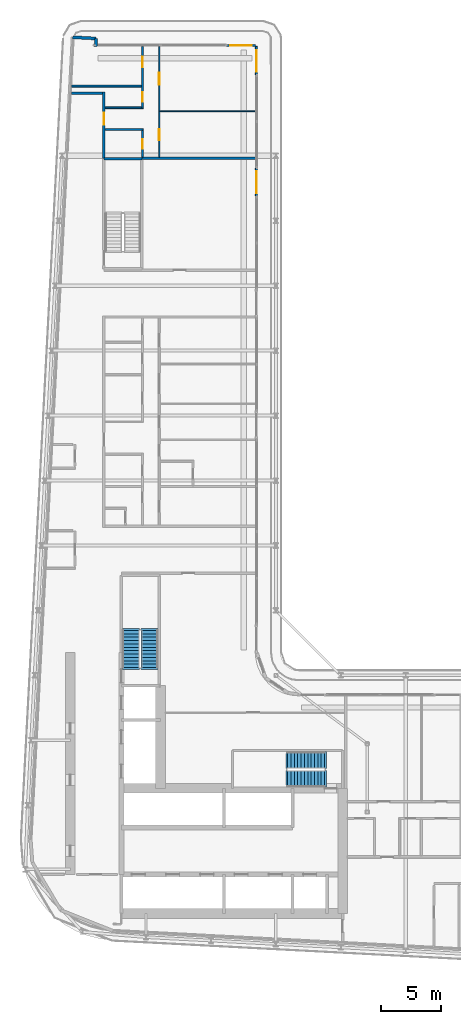
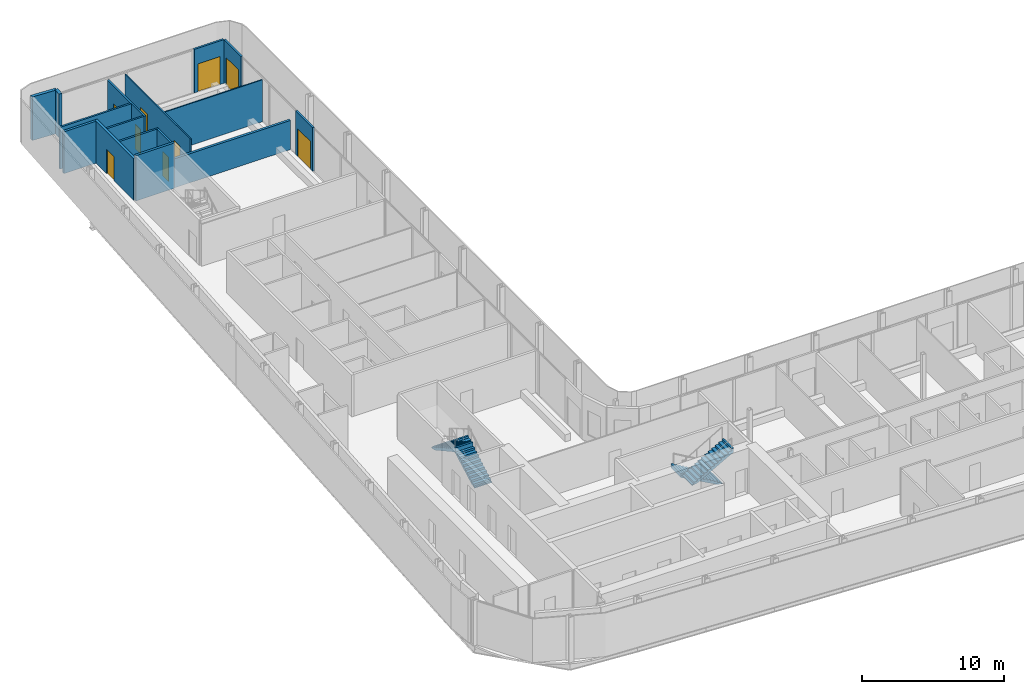
# One storey, part 21 of 29: 16 walls, 9 doors, 4 stair flights, 9 openings, 2 elements without a shape of their own.
"""IFC4 building model written with IfcOpenShell, lengths in metres."""

from ifc_helpers import new_model, si_unit, direction, frame, frame_2d, origin, place, context, subcontext, project, spatial, polyline, rectangle, outline, extrude, source, transform, mapped, material, layer, layer_set, type_object, element, fill, aggregate, save


model = new_model("IFC4")

# Units and contexts
model_context = context("Model", 3, precision=1e-05, world=origin(), true_north=direction((0.0, 1.0)))
body_context = subcontext(model_context, "Body", "Model", "MODEL_VIEW")
ifc_project = project(units=[si_unit("LENGTHUNIT", "METRE"), si_unit("AREAUNIT", "SQUARE_METRE"), si_unit("VOLUMEUNIT", "CUBIC_METRE"), si_unit("PLANEANGLEUNIT", "RADIAN"), si_unit("MASSUNIT", "GRAM", prefix="KILO")], contexts=[model_context])

# Site, building, storey
site_placement = place(None, origin())
site = spatial("IfcSite", under=ifc_project, at=site_placement, CompositionType="ELEMENT")
building_placement = place(site_placement, origin())
building = spatial("IfcBuilding", under=site, at=building_placement, Name="Kheshtan School and Residences Tower", CompositionType="ELEMENT")
storey_placement = place(building_placement, frame((0.0, 0.0, 172.10009765625)))
storey = spatial("IfcBuildingStorey", under=building, at=storey_placement, Name="L40", CompositionType="ELEMENT", Elevation=172.10009765625)

# Wall
ifc_material_1 = material(Name="Gypsum board on steel studs with fire boards", Category="steel")
ifc_layer_1 = layer(ifc_material_1, 0.199951171875)
ifc_layer_set_1 = layer_set([ifc_layer_1], Name="Corridor wall 200")
wall_type_1 = type_object("IfcWallType", Name="Corridor wall 200", PredefinedType="PARTITIONING", material=ifc_layer_set_1)
wall_1_placement = place(storey_placement, frame((30.584716796875, 94.0, 0.0), z_axis=(0.0, 0.0, 1.0), x_axis=(1.0, 0.0, 0.0)))
element("IfcWall", 1, at=wall_1_placement, inside=storey, type_object=wall_type_1, Name="Partition L40-002", PredefinedType="PARTITIONING", context=body_context, shape_type="SweptSolid", body=[
    extrude(rectangle(XDim=2.615234375, YDim=0.199951171875, at=frame_2d((1.3076171875, 0.0))), origin(), (0.0, 0.0, 1.0), 3.599853515625),
])

# Wall, opening, door
wall_2_placement = place(storey_placement, frame((33.300048828125, 88.60009765625, 0.0), z_axis=(0.0, 0.0, 1.0), x_axis=(0.0, 1.0, 0.0)))
wall_2 = element("IfcWall", 2, at=wall_2_placement, inside=storey, type_object=wall_type_1, Name="Partition L40-005", PredefinedType="PARTITIONING", context=body_context, shape_type="SweptSolid", body=[
    extrude(rectangle(XDim=5.5, YDim=0.199951171875, at=frame_2d((2.75, 0.0))), origin(), (0.0, 0.0, 1.0), 3.599853515625),
])
opening_1_placement = place(wall_2_placement, frame((2.800048828125, 0.0, 0.0)))
opening_1 = element("IfcOpeningElement", 3, at=opening_1_placement, cuts=wall_2, Name="Opening D39-045", PredefinedType="OPENING", context=body_context, shape_type="SweptSolid", body=[
    extrude(rectangle(XDim=1.0, YDim=2.10009765625, at=frame_2d((0.5, 1.050048828125))), frame((0.0, 0.10986328125, 0.0), z_axis=(0.0, -1.0, 0.0), x_axis=(1.0, 0.0, 0.0)), (0.0, 0.0, 1.0), 0.219970703125),
])
ifc_material_2 = material(Name="Steel-framed fire-resisting door leaf", Category="steel")
door_type_1 = type_object("IfcDoorType", Name="Fire door FD30S 1000 x 2100", OperationType="SINGLE_SWING_LEFT", PredefinedType="DOOR", material=ifc_material_2)
shared_shape_1 = source(origin(), body_context, "Body", "SweptSolid", [
    extrude(rectangle(XDim=1.0, YDim=2.10009765625, at=frame_2d((0.5, 1.050048828125))), frame((0.0, 0.02490234375, 0.0), z_axis=(0.0, -1.0, 0.0), x_axis=(1.0, 0.0, 0.0)), (0.0, 0.0, 1.0), 0.050048828125),
])
door_1_placement = place(opening_1_placement, origin())
door_1 = element("IfcDoor", 4, at=door_1_placement, inside=storey, type_object=door_type_1, Name="Door D39-045", OperationType="SINGLE_SWING_LEFT", OverallHeight=2.10009765625, OverallWidth=1.0, PredefinedType="DOOR", context=body_context, shape_type="MappedRepresentation", body=[
    mapped(shared_shape_1, transform((0.0, 0.0, 0.0), x_axis=(1.0, 0.0, 0.0), y_axis=(0.0, 1.0, 0.0), z_axis=(0.0, 0.0, 1.0), scale=1.0)),
])
fill(opening_1, door_1)

# Walls
ifc_material_3 = material(Name="Concrete C40/50 with ceramic cladding and mineral wool insulation", Category="concrete")
ifc_layer_2 = layer(ifc_material_3, 0.25)
ifc_layer_set_2 = layer_set([ifc_layer_2], Name="External wall 250 ceramic clad")
wall_type_2 = type_object("IfcWallType", Name="External wall 250 ceramic clad", PredefinedType="SOLIDWALL", material=ifc_layer_set_2)
wall_3_placement = place(storey_placement, frame((30.705078125, 98.6640625, 0.0), z_axis=(0.0, 0.0, 1.0), x_axis=(0.998577785791, -0.053314216913, 0.0)))
element("IfcWall", 5, at=wall_3_placement, inside=storey, type_object=wall_type_2, Name="External wall L40 5", PredefinedType="SOLIDWALL", context=body_context, shape_type="SweptSolid", body=[
    extrude(rectangle(XDim=1.95068359375, YDim=0.25, at=frame_2d((0.975341796875, 0.0))), origin(), (0.0, 0.0, 1.0), 3.75),
])
wall_4_placement = place(storey_placement, frame((32.653076171875, 98.56005859375, 0.0), z_axis=(0.0, 0.0, 1.0), x_axis=(-0.054093451632, -0.998535877418, 0.0)))
element("IfcWall", 6, at=wall_4_placement, inside=storey, type_object=wall_type_2, Name="External wall L40 6", PredefinedType="SOLIDWALL", context=body_context, shape_type="SweptSolid", body=[
    extrude(rectangle(XDim=0.66796875, YDim=0.25, at=frame_2d((0.333984375, 0.0))), origin(), (0.0, 0.0, 1.0), 3.75),
])

# Wall, opening, door
ifc_material_4 = material(Name="Aluminium frame wall with insulated infill", Category="aluminium")
ifc_layer_3 = layer(ifc_material_4, 0.14990234375)
ifc_layer_set_3 = layer_set([ifc_layer_3], Name="Glazing frame wall 150")
wall_type_3 = type_object("IfcWallType", Name="Glazing frame wall 150", PredefinedType="SOLIDWALL", material=ifc_layer_set_3)
wall_5_placement = place(storey_placement, frame((43.5, 97.97509765625, 0.0), z_axis=(0.0, 0.0, 1.0), x_axis=(1.0, 0.0, 0.0)))
wall_5 = element("IfcWall", 7, at=wall_5_placement, inside=storey, type_object=wall_type_3, Name="Balcony door wall L40 7.1", PredefinedType="SOLIDWALL", context=body_context, shape_type="SweptSolid", body=[
    extrude(rectangle(XDim=2.39990234375, YDim=0.14990234375, at=frame_2d((1.199951171875, 0.0))), origin(), (0.0, 0.0, 1.0), 3.75),
])
opening_2_placement = place(wall_5_placement, frame((0.300048828125, 0.0, 0.0)))
opening_2 = element("IfcOpeningElement", 8, at=opening_2_placement, cuts=wall_5, Name="Opening BD", PredefinedType="OPENING", context=body_context, shape_type="SweptSolid", body=[
    extrude(rectangle(XDim=1.800048828125, YDim=2.39990234375, at=frame_2d((0.89990234375, 1.199951171875))), frame((0.0, 0.0849609375, 0.0), z_axis=(0.0, -1.0, 0.0), x_axis=(1.0, 0.0, 0.0)), (0.0, 0.0, 1.0), 0.169921875),
])
ifc_material_5 = material(Name="Clear low-e glass in thermally broken aluminium frame", Category="aluminium")
door_type_2 = type_object("IfcDoorType", Name="Balcony sliding door", OperationType="SLIDING_TO_LEFT", PredefinedType="DOOR", material=ifc_material_5)
shared_shape_2 = source(origin(), body_context, "Body", "SweptSolid", [
    extrude(rectangle(XDim=1.800048828125, YDim=2.39990234375, at=frame_2d((0.89990234375, 1.199951171875))), frame((0.0, 0.02490234375, 0.0), z_axis=(0.0, -1.0, 0.0), x_axis=(1.0, 0.0, 0.0)), (0.0, 0.0, 1.0), 0.050048828125),
])
door_2_placement = place(opening_2_placement, origin())
door_2 = element("IfcDoor", 9, at=door_2_placement, inside=storey, type_object=door_type_2, Name="Balcony door L40 7.1", OperationType="SLIDING_TO_LEFT", OverallHeight=2.39990234375, OverallWidth=1.800048828125, PredefinedType="DOOR", context=body_context, shape_type="MappedRepresentation", body=[
    mapped(shared_shape_2, transform((0.0, 0.0, 0.0), x_axis=(1.0, 0.0, 0.0), y_axis=(0.0, 1.0, 0.0), z_axis=(0.0, 0.0, 1.0), scale=1.0)),
])
fill(opening_2, door_2)

wall_6_placement = place(storey_placement, frame((45.97509765625, 97.89990234375, 0.0), z_axis=(0.0, 0.0, 1.0), x_axis=(0.0, -1.0, 0.0)))
wall_6 = element("IfcWall", 10, at=wall_6_placement, inside=storey, type_object=wall_type_3, Name="Balcony door wall L40 8.1", PredefinedType="SOLIDWALL", context=body_context, shape_type="SweptSolid", body=[
    extrude(rectangle(XDim=2.39990234375, YDim=0.14990234375, at=frame_2d((1.199951171875, 0.0))), origin(), (0.0, 0.0, 1.0), 3.75),
])
opening_3_placement = place(wall_6_placement, frame((0.300048828125, 0.0, 0.0)))
opening_3 = element("IfcOpeningElement", 11, at=opening_3_placement, cuts=wall_6, Name="Opening BD", PredefinedType="OPENING", context=body_context, shape_type="SweptSolid", body=[
    extrude(rectangle(XDim=1.800048828125, YDim=2.39990234375, at=frame_2d((0.89990234375, 1.199951171875))), frame((0.0, 0.0849609375, 0.0), z_axis=(0.0, -1.0, 0.0), x_axis=(1.0, 0.0, 0.0)), (0.0, 0.0, 1.0), 0.169921875),
])
door_3_placement = place(opening_3_placement, origin())
door_3 = element("IfcDoor", 12, at=door_3_placement, inside=storey, type_object=door_type_2, Name="Balcony door L40 8.1", OperationType="SLIDING_TO_LEFT", OverallHeight=2.39990234375, OverallWidth=1.800048828125, PredefinedType="DOOR", context=body_context, shape_type="MappedRepresentation", body=[
    mapped(shared_shape_2, transform((0.0, 0.0, 0.0), x_axis=(1.0, 0.0, 0.0), y_axis=(0.0, 1.0, 0.0), z_axis=(0.0, 0.0, 1.0), scale=1.0)),
])
fill(opening_3, door_3)

wall_7_placement = place(storey_placement, frame((45.97509765625, 87.805908203125, 0.0), z_axis=(0.0, 0.0, 1.0), x_axis=(0.0, -1.0, 0.0)))
wall_7 = element("IfcWall", 13, at=wall_7_placement, inside=storey, type_object=wall_type_3, Name="Balcony door wall L40 8.2", PredefinedType="SOLIDWALL", context=body_context, shape_type="SweptSolid", body=[
    extrude(rectangle(XDim=2.39990234375, YDim=0.14990234375, at=frame_2d((1.199951171875, 0.0))), origin(), (0.0, 0.0, 1.0), 3.75),
])
opening_4_placement = place(wall_7_placement, frame((0.300048828125, 0.0, 0.0)))
opening_4 = element("IfcOpeningElement", 14, at=opening_4_placement, cuts=wall_7, Name="Opening BD", PredefinedType="OPENING", context=body_context, shape_type="SweptSolid", body=[
    extrude(rectangle(XDim=1.800048828125, YDim=2.39990234375, at=frame_2d((0.89990234375, 1.199951171875))), frame((0.0, 0.0849609375, 0.0), z_axis=(0.0, -1.0, 0.0), x_axis=(1.0, 0.0, 0.0)), (0.0, 0.0, 1.0), 0.169921875),
])
door_4_placement = place(opening_4_placement, origin())
door_4 = element("IfcDoor", 15, at=door_4_placement, inside=storey, type_object=door_type_2, Name="Balcony door L40 8.2", OperationType="SLIDING_TO_LEFT", OverallHeight=2.39990234375, OverallWidth=1.800048828125, PredefinedType="DOOR", context=body_context, shape_type="MappedRepresentation", body=[
    mapped(shared_shape_2, transform((0.0, 0.0, 0.0), x_axis=(1.0, 0.0, 0.0), y_axis=(0.0, 1.0, 0.0), z_axis=(0.0, 0.0, 1.0), scale=1.0)),
])
fill(opening_4, door_4)

# Wall, openings, doors
ifc_material_6 = material(Name="Gypsum board on steel studs", Category="steel")
ifc_layer_4 = layer(ifc_material_6, 0.10009765625)
ifc_layer_set_4 = layer_set([ifc_layer_4], Name="Gypsum partition 100")
wall_type_4 = type_object("IfcWallType", Name="Gypsum partition 100", PredefinedType="PARTITIONING", material=ifc_layer_set_4)
wall_8_placement = place(storey_placement, frame((37.89990234375, 88.699951171875, 0.0), z_axis=(0.0, 0.0, 1.0), x_axis=(0.0, 1.0, 0.0)))
wall_8 = element("IfcWall", 16, at=wall_8_placement, inside=storey, type_object=wall_type_4, Name="Partition L40-026", PredefinedType="PARTITIONING", context=body_context, shape_type="SweptSolid", body=[
    extrude(rectangle(XDim=9.199951171875, YDim=0.10009765625, at=frame_2d((4.60009765625, 0.0))), origin(), (0.0, 0.0, 1.0), 3.599853515625),
])
opening_5_placement = place(wall_8_placement, frame((1.39990234375, 0.0, 0.0)))
opening_5 = element("IfcOpeningElement", 17, at=opening_5_placement, cuts=wall_8, Name="Opening D39-044", PredefinedType="OPENING", context=body_context, shape_type="SweptSolid", body=[
    extrude(rectangle(XDim=0.89990234375, YDim=2.10009765625, at=frame_2d((0.449951171875, 1.050048828125))), frame((0.0, 0.06005859375, 0.0), z_axis=(0.0, -1.0, 0.0), x_axis=(1.0, 0.0, 0.0)), (0.0, 0.0, 1.0), 0.1201171875),
])
opening_6_placement = place(wall_8_placement, frame((6.0, 0.0, 0.0)))
opening_6 = element("IfcOpeningElement", 18, at=opening_6_placement, cuts=wall_8, Name="Opening D39-047", PredefinedType="OPENING", context=body_context, shape_type="SweptSolid", body=[
    extrude(rectangle(XDim=1.0, YDim=2.10009765625, at=frame_2d((0.5, 1.050048828125))), frame((0.0, 0.06005859375, 0.0), z_axis=(0.0, -1.0, 0.0), x_axis=(1.0, 0.0, 0.0)), (0.0, 0.0, 1.0), 0.1201171875),
])
ifc_material_7 = material(Name="Veneered timber door leaf", Category="wood")
door_type_3 = type_object("IfcDoorType", Name="Door 1000 x 2100", OperationType="SINGLE_SWING_LEFT", PredefinedType="DOOR", material=ifc_material_7)
shared_shape_3 = source(origin(), body_context, "Body", "SweptSolid", [
    extrude(rectangle(XDim=1.0, YDim=2.10009765625, at=frame_2d((0.5, 1.050048828125))), frame((0.0, 0.02490234375, 0.0), z_axis=(0.0, -1.0, 0.0), x_axis=(1.0, 0.0, 0.0)), (0.0, 0.0, 1.0), 0.050048828125),
])
door_5_placement = place(opening_6_placement, origin())
door_5 = element("IfcDoor", 19, at=door_5_placement, inside=storey, type_object=door_type_3, Name="Door D39-047", OperationType="SINGLE_SWING_RIGHT", OverallHeight=2.10009765625, OverallWidth=1.0, PredefinedType="DOOR", context=body_context, shape_type="MappedRepresentation", body=[
    mapped(shared_shape_3, transform((0.0, 0.0, 0.0), x_axis=(1.0, 0.0, 0.0), y_axis=(0.0, 1.0, 0.0), z_axis=(0.0, 0.0, 1.0), scale=1.0)),
])
fill(opening_6, door_5)
door_type_4 = type_object("IfcDoorType", Name="Door 900 x 2100", OperationType="SINGLE_SWING_LEFT", PredefinedType="DOOR", material=ifc_material_7)
shared_shape_4 = source(origin(), body_context, "Body", "SweptSolid", [
    extrude(rectangle(XDim=0.89990234375, YDim=2.10009765625, at=frame_2d((0.449951171875, 1.050048828125))), frame((0.0, 0.02490234375, 0.0), z_axis=(0.0, -1.0, 0.0), x_axis=(1.0, 0.0, 0.0)), (0.0, 0.0, 1.0), 0.050048828125),
])
door_6_placement = place(opening_5_placement, origin())
door_6 = element("IfcDoor", 20, at=door_6_placement, inside=storey, type_object=door_type_4, Name="Door D39-044", OperationType="SINGLE_SWING_LEFT", OverallHeight=2.10009765625, OverallWidth=0.89990234375, PredefinedType="DOOR", context=body_context, shape_type="MappedRepresentation", body=[
    mapped(shared_shape_4, transform((0.0, 0.0, 0.0), x_axis=(1.0, 0.0, 0.0), y_axis=(0.0, 1.0, 0.0), z_axis=(0.0, 0.0, 1.0), scale=1.0)),
])
fill(opening_5, door_6)

# Walls
wall_9_placement = place(storey_placement, frame((37.949951171875, 92.5, 0.0), z_axis=(0.0, 0.0, 1.0), x_axis=(1.0, 0.0, 0.0)))
element("IfcWall", 21, at=wall_9_placement, inside=storey, type_object=wall_type_4, Name="Partition L40-027", PredefinedType="PARTITIONING", context=body_context, shape_type="SweptSolid", body=[
    extrude(rectangle(XDim=7.949951171875, YDim=0.10009765625, at=frame_2d((3.97509765625, 0.0))), origin(), (0.0, 0.0, 1.0), 3.599853515625),
])
ifc_material_8 = material(Name="Concrete C40/50", Category="concrete")
ifc_layer_5 = layer(ifc_material_8, 0.199951171875)
ifc_layer_set_5 = layer_set([ifc_layer_5], Name="Stair enclosure wall 200 Concrete C40/50")
wall_type_5 = type_object("IfcWallType", Name="Stair enclosure wall 200 Concrete C40/50", PredefinedType="SHEAR", material=ifc_layer_set_5)
wall_10_placement = place(storey_placement, frame((33.300048828125, 88.56005859375, 0.0), z_axis=(0.0, 0.0, 1.0), x_axis=(1.0, 0.0, 0.0)))
element("IfcWall", 22, at=wall_10_placement, inside=storey, type_object=wall_type_5, Name="Stair enclosure wall ST3", PredefinedType="SHEAR", context=body_context, shape_type="SweptSolid", body=[
    extrude(rectangle(XDim=3.14990234375, YDim=0.199951171875, at=frame_2d((1.574951171875, 0.0))), origin(), (0.0, 0.0, 1.0), 3.89990234375),
])
ifc_material_9 = material(Name="Twin gypsum board on steel studs with mineral wool", Category="steel")
ifc_layer_6 = layer(ifc_material_9, 0.199951171875)
ifc_layer_set_6 = layer_set([ifc_layer_6], Name="Unit demising wall 200")
wall_type_6 = type_object("IfcWallType", Name="Unit demising wall 200", PredefinedType="PARTITIONING", material=ifc_layer_set_6)
wall_11_placement = place(storey_placement, frame((36.425048828125, 88.60009765625, 0.0), z_axis=(0.0, 0.0, 1.0), x_axis=(1.0, 0.0, 0.0)))
element("IfcWall", 23, at=wall_11_placement, inside=storey, type_object=wall_type_6, Name="Partition L40-020", PredefinedType="PARTITIONING", context=body_context, shape_type="SweptSolid", body=[
    extrude(rectangle(XDim=9.474853515625, YDim=0.199951171875, at=frame_2d((4.7373046875, 0.0))), origin(), (0.0, 0.0, 1.0), 2.5),
])
ifc_material_10 = material(Name="Moisture-resistant gypsum board on steel studs", Category="steel")
ifc_layer_7 = layer(ifc_material_10, 0.14990234375)
ifc_layer_set_7 = layer_set([ifc_layer_7], Name="Wet-room partition 150")
wall_type_7 = type_object("IfcWallType", Name="Wet-room partition 150", PredefinedType="PARTITIONING", material=ifc_layer_set_7)
wall_12_placement = place(storey_placement, frame((30.616943359375, 94.60009765625, 0.0), z_axis=(0.0, 0.0, 1.0), x_axis=(1.0, 0.0, 0.0)))
element("IfcWall", 24, at=wall_12_placement, inside=storey, type_object=wall_type_7, Name="Partition L40-001", PredefinedType="PARTITIONING", context=body_context, shape_type="SweptSolid", body=[
    extrude(rectangle(XDim=5.80810546875, YDim=0.14990234375, at=frame_2d((2.904052734375, 0.0))), origin(), (0.0, 0.0, 1.0), 3.599853515625),
])
wall_13_placement = place(storey_placement, frame((33.39990234375, 91.0, 0.0), z_axis=(0.0, 0.0, 1.0), x_axis=(1.0, 0.0, 0.0)))
element("IfcWall", 25, at=wall_13_placement, inside=storey, type_object=wall_type_7, Name="Partition L40-014", PredefinedType="PARTITIONING", context=body_context, shape_type="SweptSolid", body=[
    extrude(rectangle(XDim=3.175048828125, YDim=0.14990234375, at=frame_2d((1.58740234375, 0.0))), origin(), (0.0, 0.0, 1.0), 3.599853515625),
])
wall_14_placement = place(storey_placement, frame((33.39990234375, 92.800048828125, 0.0), z_axis=(0.0, 0.0, 1.0), x_axis=(1.0, 0.0, 0.0)))
element("IfcWall", 26, at=wall_14_placement, inside=storey, type_object=wall_type_7, Name="Partition L40-015", PredefinedType="PARTITIONING", context=body_context, shape_type="SweptSolid", body=[
    extrude(rectangle(XDim=3.025146484375, YDim=0.14990234375, at=frame_2d((1.5126953125, 0.0))), origin(), (0.0, 0.0, 1.0), 3.599853515625),
])

# Wall, opening, door
wall_15_placement = place(storey_placement, frame((36.5, 88.699951171875, 0.0), z_axis=(0.0, 0.0, 1.0), x_axis=(0.0, 1.0, 0.0)))
wall_15 = element("IfcWall", 27, at=wall_15_placement, inside=storey, type_object=wall_type_7, Name="Partition L40-023", PredefinedType="PARTITIONING", context=body_context, shape_type="SweptSolid", body=[
    extrude(rectangle(XDim=2.22509765625, YDim=0.14990234375, at=frame_2d((1.112548828125, 0.0))), origin(), (0.0, 0.0, 1.0), 3.599853515625),
])
opening_7_placement = place(wall_15_placement, frame((0.699951171875, 0.0, 0.0)))
opening_7 = element("IfcOpeningElement", 28, at=opening_7_placement, cuts=wall_15, Name="Opening D39-043", PredefinedType="OPENING", context=body_context, shape_type="SweptSolid", body=[
    extrude(rectangle(XDim=0.800048828125, YDim=2.10009765625, at=frame_2d((0.39990234375, 1.050048828125))), frame((0.0, 0.0849609375, 0.0), z_axis=(0.0, -1.0, 0.0), x_axis=(1.0, 0.0, 0.0)), (0.0, 0.0, 1.0), 0.169921875),
])
door_type_5 = type_object("IfcDoorType", Name="Door 800 x 2100", OperationType="SINGLE_SWING_LEFT", PredefinedType="DOOR", material=ifc_material_7)
shared_shape_5 = source(origin(), body_context, "Body", "SweptSolid", [
    extrude(rectangle(XDim=0.800048828125, YDim=2.10009765625, at=frame_2d((0.39990234375, 1.050048828125))), frame((0.0, 0.02490234375, 0.0), z_axis=(0.0, -1.0, 0.0), x_axis=(1.0, 0.0, 0.0)), (0.0, 0.0, 1.0), 0.050048828125),
])
door_7_placement = place(opening_7_placement, origin())
door_7 = element("IfcDoor", 29, at=door_7_placement, inside=storey, type_object=door_type_5, Name="Door D39-043", OperationType="SINGLE_SWING_LEFT", OverallHeight=2.10009765625, OverallWidth=0.800048828125, PredefinedType="DOOR", context=body_context, shape_type="MappedRepresentation", body=[
    mapped(shared_shape_5, transform((0.0, 0.0, 0.0), x_axis=(1.0, 0.0, 0.0), y_axis=(0.0, 1.0, 0.0), z_axis=(0.0, 0.0, 1.0), scale=1.0)),
])
fill(opening_7, door_7)

# Wall, openings, doors
wall_16_placement = place(storey_placement, frame((36.5, 92.72509765625, 0.0), z_axis=(0.0, 0.0, 1.0), x_axis=(0.0, 1.0, 0.0)))
wall_16 = element("IfcWall", 30, at=wall_16_placement, inside=storey, type_object=wall_type_7, Name="Partition L40-024", PredefinedType="PARTITIONING", context=body_context, shape_type="SweptSolid", body=[
    extrude(rectangle(XDim=5.1748046875, YDim=0.14990234375, at=frame_2d((2.58740234375, 0.0))), origin(), (0.0, 0.0, 1.0), 3.599853515625),
])
opening_8_placement = place(wall_16_placement, frame((3.425048828125, 0.0, 0.0)))
opening_8 = element("IfcOpeningElement", 31, at=opening_8_placement, cuts=wall_16, Name="Opening D39-046", PredefinedType="OPENING", context=body_context, shape_type="SweptSolid", body=[
    extrude(rectangle(XDim=0.89990234375, YDim=2.10009765625, at=frame_2d((0.449951171875, 1.050048828125))), frame((0.0, 0.0849609375, 0.0), z_axis=(0.0, -1.0, 0.0), x_axis=(1.0, 0.0, 0.0)), (0.0, 0.0, 1.0), 0.169921875),
])
opening_9_placement = place(wall_16_placement, frame((0.574951171875, 0.0, 0.0)))
opening_9 = element("IfcOpeningElement", 32, at=opening_9_placement, cuts=wall_16, Name="Opening D39-048", PredefinedType="OPENING", context=body_context, shape_type="SweptSolid", body=[
    extrude(rectangle(XDim=0.800048828125, YDim=2.10009765625, at=frame_2d((0.39990234375, 1.050048828125))), frame((0.0, 0.0849609375, 0.0), z_axis=(0.0, -1.0, 0.0), x_axis=(1.0, 0.0, 0.0)), (0.0, 0.0, 1.0), 0.169921875),
])
door_8_placement = place(opening_9_placement, origin())
door_8 = element("IfcDoor", 33, at=door_8_placement, inside=storey, type_object=door_type_5, Name="Door D39-048", OperationType="SINGLE_SWING_RIGHT", OverallHeight=2.10009765625, OverallWidth=0.800048828125, PredefinedType="DOOR", context=body_context, shape_type="MappedRepresentation", body=[
    mapped(shared_shape_5, transform((0.0, 0.0, 0.0), x_axis=(1.0, 0.0, 0.0), y_axis=(0.0, 1.0, 0.0), z_axis=(0.0, 0.0, 1.0), scale=1.0)),
])
fill(opening_9, door_8)
door_9_placement = place(opening_8_placement, origin())
door_9 = element("IfcDoor", 34, at=door_9_placement, inside=storey, type_object=door_type_4, Name="Door D39-046", OperationType="SINGLE_SWING_LEFT", OverallHeight=2.10009765625, OverallWidth=0.89990234375, PredefinedType="DOOR", context=body_context, shape_type="MappedRepresentation", body=[
    mapped(shared_shape_4, transform((0.0, 0.0, 0.0), x_axis=(1.0, 0.0, 0.0), y_axis=(0.0, 1.0, 0.0), z_axis=(0.0, 0.0, 1.0), scale=1.0)),
])
fill(opening_8, door_9)

# Stair, stair flights
stair_type = type_object("IfcStairType", Name="Exit stair, half-turn", PredefinedType="HALF_TURN_STAIR", material=ifc_material_8)
stair_1_placement = place(storey_placement, origin())
stair_1 = element("IfcStair", 35, at=stair_1_placement, inside=storey, type_object=stair_type, Name="L40 Protected Exit Stair ST1", PredefinedType="HALF_TURN_STAIR")
ifc_layer_8 = layer(ifc_material_8, 0.14990234375)
ifc_layer_set_8 = layer_set([ifc_layer_8], Name="Stair flight 1400 Concrete C40/50")
stair_flight_type = type_object("IfcStairFlightType", Name="Stair flight 1400 Concrete C40/50", PredefinedType="STRAIGHT", material=ifc_layer_set_8)
stair_flight_1_placement = place(storey_placement, frame((51.64990234375, 38.550048828125, 0.0), z_axis=(0.0, 0.0, 1.0), x_axis=(-1.0, 0.0, 0.0)))
stair_flight_1 = element("IfcStairFlight", 36, at=stair_flight_1_placement, type_object=stair_flight_type, Name="ST1 flight 1", NumberOfRisers=12, NumberOfTreads=11, PredefinedType="STRAIGHT", RiserHeight=0.1625, TreadLength=0.28, context=body_context, shape_type="SweptSolid", body=[
    extrude(outline(polyline([(-0.14990234375, -0.10009765625), (-0.14990234375, 0.0), (0.0, 0.0), (0.0, 0.16259765625), (0.280029296875, 0.16259765625), (0.280029296875, 0.324951171875), (0.56005859375, 0.324951171875), (0.56005859375, 0.487548828125), (0.840087890625, 0.487548828125), (0.840087890625, 0.64990234375), (1.1201171875, 0.64990234375), (1.1201171875, 0.8125), (1.39990234375, 0.8125), (1.39990234375, 0.97509765625), (1.679931640625, 0.97509765625), (1.679931640625, 1.137451171875), (1.9599609375, 1.137451171875), (1.9599609375, 1.300048828125), (2.239990234375, 1.300048828125), (2.239990234375, 1.46240234375), (2.52001953125, 1.46240234375), (2.52001953125, 1.625), (2.800048828125, 1.625), (2.800048828125, 1.78759765625), (3.080078125, 1.78759765625), (3.080078125, 1.949951171875), (3.080078125, 1.969970703125), (3.22998046875, 1.969970703125), (3.22998046875, 1.6142578125), (0.298583984375, 0.0), (-0.14990234375, -0.10009765625)])), frame((0.0, 0.699951171875, 0.0), z_axis=(0.0, -1.0, 0.0), x_axis=(1.0, 0.0, 0.0)), (0.0, 0.0, 1.0), 1.39990234375),
])
stair_flight_2_placement = place(storey_placement, frame((48.570068359375, 37.0, 1.949951171875), z_axis=(0.0, 0.0, 1.0), x_axis=(1.0, 0.0, 0.0)))
stair_flight_2 = element("IfcStairFlight", 37, at=stair_flight_2_placement, type_object=stair_flight_type, Name="ST1 flight 2", NumberOfRisers=12, NumberOfTreads=11, PredefinedType="STRAIGHT", RiserHeight=0.1625, TreadLength=0.28, context=body_context, shape_type="SweptSolid", body=[
    extrude(outline(polyline([(-0.14990234375, -0.10009765625), (-0.14990234375, 0.0), (0.0, 0.0), (0.0, 0.16259765625), (0.280029296875, 0.16259765625), (0.280029296875, 0.324951171875), (0.56005859375, 0.324951171875), (0.56005859375, 0.487548828125), (0.840087890625, 0.487548828125), (0.840087890625, 0.64990234375), (1.1201171875, 0.64990234375), (1.1201171875, 0.8125), (1.39990234375, 0.8125), (1.39990234375, 0.97509765625), (1.679931640625, 0.97509765625), (1.679931640625, 1.137451171875), (1.9599609375, 1.137451171875), (1.9599609375, 1.300048828125), (2.239990234375, 1.300048828125), (2.239990234375, 1.46240234375), (2.52001953125, 1.46240234375), (2.52001953125, 1.625), (2.800048828125, 1.625), (2.800048828125, 1.78759765625), (3.080078125, 1.78759765625), (3.080078125, 1.949951171875), (3.080078125, 1.969970703125), (3.22998046875, 1.969970703125), (3.22998046875, 1.6142578125), (0.298583984375, 0.0), (-0.14990234375, -0.10009765625)])), frame((0.0, 0.699951171875, 0.0), z_axis=(0.0, -1.0, 0.0), x_axis=(1.0, 0.0, 0.0)), (0.0, 0.0, 1.0), 1.39990234375),
])
aggregate(stair_1, [stair_flight_1, stair_flight_2])

stair_2_placement = place(storey_placement, origin())
stair_2 = element("IfcStair", 38, at=stair_2_placement, inside=storey, type_object=stair_type, Name="L40 Protected Exit Stair ST2", PredefinedType="HALF_TURN_STAIR")
stair_flight_3_placement = place(storey_placement, frame((37.10009765625, 46.25, 0.0), z_axis=(0.0, 0.0, 1.0), x_axis=(0.0, 1.0, 0.0)))
stair_flight_3 = element("IfcStairFlight", 39, at=stair_flight_3_placement, type_object=stair_flight_type, Name="ST2 flight 1", NumberOfRisers=12, NumberOfTreads=11, PredefinedType="STRAIGHT", RiserHeight=0.1625, TreadLength=0.28, context=body_context, shape_type="SweptSolid", body=[
    extrude(outline(polyline([(-0.14990234375, -0.10009765625), (-0.14990234375, 0.0), (0.0, 0.0), (0.0, 0.16259765625), (0.280029296875, 0.16259765625), (0.280029296875, 0.324951171875), (0.56005859375, 0.324951171875), (0.56005859375, 0.487548828125), (0.840087890625, 0.487548828125), (0.840087890625, 0.64990234375), (1.1201171875, 0.64990234375), (1.1201171875, 0.8125), (1.39990234375, 0.8125), (1.39990234375, 0.97509765625), (1.679931640625, 0.97509765625), (1.679931640625, 1.137451171875), (1.9599609375, 1.137451171875), (1.9599609375, 1.300048828125), (2.239990234375, 1.300048828125), (2.239990234375, 1.46240234375), (2.52001953125, 1.46240234375), (2.52001953125, 1.625), (2.800048828125, 1.625), (2.800048828125, 1.78759765625), (3.080078125, 1.78759765625), (3.080078125, 1.949951171875), (3.080078125, 1.969970703125), (3.22998046875, 1.969970703125), (3.22998046875, 1.6142578125), (0.298583984375, 0.0), (-0.14990234375, -0.10009765625)])), frame((0.0, 0.699951171875, 0.0), z_axis=(0.0, -1.0, 0.0), x_axis=(1.0, 0.0, 0.0)), (0.0, 0.0, 1.0), 1.39990234375),
])
stair_flight_4_placement = place(storey_placement, frame((35.550048828125, 49.330078125, 1.949951171875), z_axis=(0.0, 0.0, 1.0), x_axis=(0.0, -1.0, 0.0)))
stair_flight_4 = element("IfcStairFlight", 40, at=stair_flight_4_placement, type_object=stair_flight_type, Name="ST2 flight 2", NumberOfRisers=12, NumberOfTreads=11, PredefinedType="STRAIGHT", RiserHeight=0.1625, TreadLength=0.28, context=body_context, shape_type="SweptSolid", body=[
    extrude(outline(polyline([(-0.14990234375, -0.10009765625), (-0.14990234375, 0.0), (0.0, 0.0), (0.0, 0.16259765625), (0.280029296875, 0.16259765625), (0.280029296875, 0.324951171875), (0.56005859375, 0.324951171875), (0.56005859375, 0.487548828125), (0.840087890625, 0.487548828125), (0.840087890625, 0.64990234375), (1.1201171875, 0.64990234375), (1.1201171875, 0.8125), (1.39990234375, 0.8125), (1.39990234375, 0.97509765625), (1.679931640625, 0.97509765625), (1.679931640625, 1.137451171875), (1.9599609375, 1.137451171875), (1.9599609375, 1.300048828125), (2.239990234375, 1.300048828125), (2.239990234375, 1.46240234375), (2.52001953125, 1.46240234375), (2.52001953125, 1.625), (2.800048828125, 1.625), (2.800048828125, 1.78759765625), (3.080078125, 1.78759765625), (3.080078125, 1.949951171875), (3.080078125, 1.969970703125), (3.22998046875, 1.969970703125), (3.22998046875, 1.6142578125), (0.298583984375, 0.0), (-0.14990234375, -0.10009765625)])), frame((0.0, 0.699951171875, 0.0), z_axis=(0.0, -1.0, 0.0), x_axis=(1.0, 0.0, 0.0)), (0.0, 0.0, 1.0), 1.39990234375),
])
aggregate(stair_2, [stair_flight_3, stair_flight_4])

save(model, "model.ifc")
